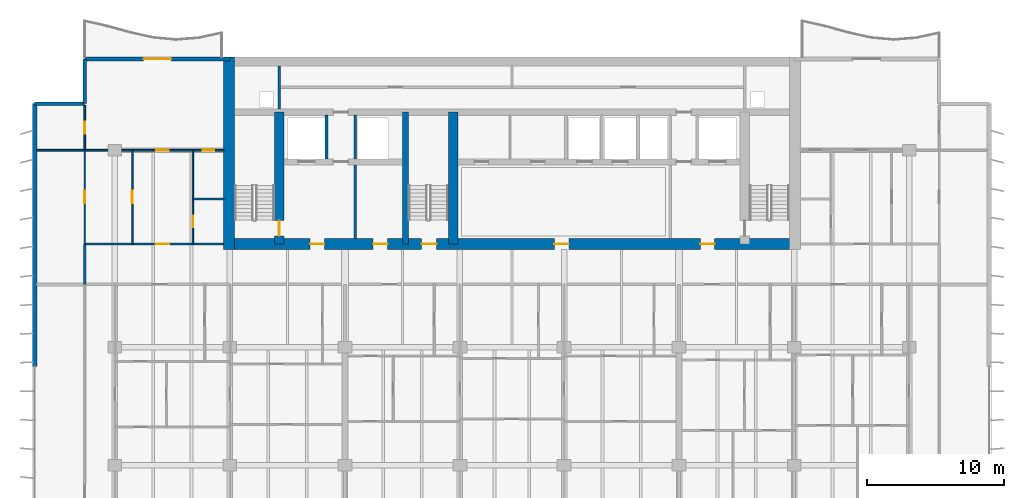
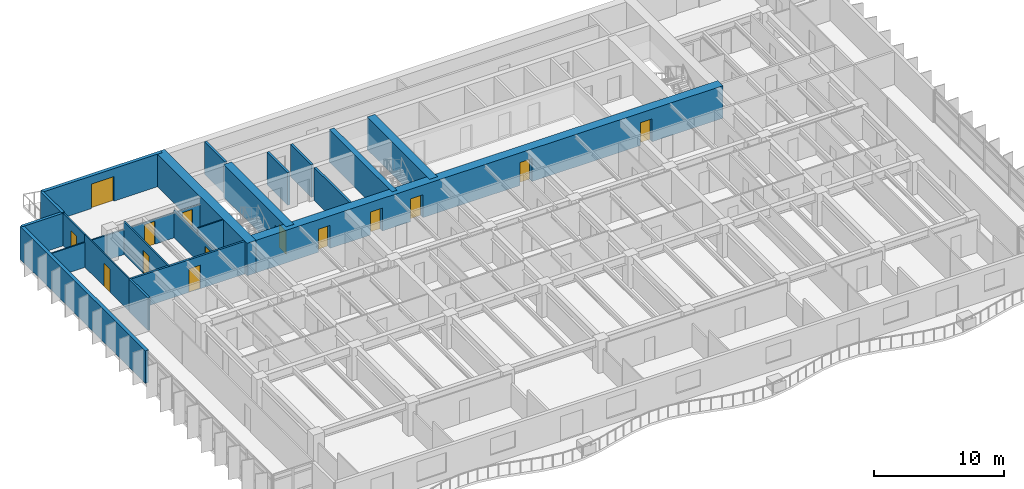
# One storey, part 9 of 15: 21 walls, 14 doors, 14 openings.
"""IFC4 building model written with IfcOpenShell, lengths in metres."""

from ifc_helpers import new_model, si_unit, direction, frame, frame_2d, origin, place, context, subcontext, project, spatial, rectangle, extrude, material, layer, layer_set, type_object, element, fill, save


model = new_model("IFC4")

# Units and contexts
model_context = context("Model", 3, precision=1e-05, world=origin(), true_north=direction((0.0, 1.0)))
body_context = subcontext(model_context, "Body", "Model", "MODEL_VIEW")
ifc_project = project(units=[si_unit("LENGTHUNIT", "METRE"), si_unit("AREAUNIT", "SQUARE_METRE"), si_unit("VOLUMEUNIT", "CUBIC_METRE"), si_unit("PLANEANGLEUNIT", "RADIAN"), si_unit("MASSUNIT", "GRAM", prefix="KILO")], contexts=[model_context])

# Site, building, storey
site_placement = place(None, origin())
site = spatial("IfcSite", under=ifc_project, at=site_placement, CompositionType="ELEMENT")
building_placement = place(site_placement, origin())
building = spatial("IfcBuilding", under=site, at=building_placement, Name="Caelmar Bay Residences", CompositionType="ELEMENT")
storey_placement = place(building_placement, frame((0.0, 0.0, 132.300048828125)))
storey = spatial("IfcBuildingStorey", under=building, at=storey_placement, Name="L36", CompositionType="ELEMENT", Elevation=132.300048828125)

# Wall, opening, door
ifc_material_1 = material(Name="Concrete f'c 55 MPa (8,000 psi)", Category="concrete")
ifc_layer_1 = layer(ifc_material_1, 0.699951171875)
ifc_layer_set_1 = layer_set([ifc_layer_1], Name="Concrete f'c 55 MPa (8,000 psi)")
wall_type_1 = type_object("IfcWallType", Name="SW-COR-700", PredefinedType="SHEAR", material=ifc_layer_set_1)
wall_1_placement = place(storey_placement, frame((21.89990234375, 36.949951171875, 0.0), z_axis=(0.0, 0.0, 1.0), x_axis=(0.0, 1.0, 0.0)))
wall_1 = element("IfcWall", 1, at=wall_1_placement, inside=storey, type_object=wall_type_1, Name="L36 Core Structural Web Wall ST1E", PredefinedType="SHEAR", context=body_context, shape_type="SweptSolid", body=[
    extrude(rectangle(XDim=9.625, YDim=0.699951171875, at=frame_2d((4.8125, 0.0))), origin(), (0.0, 0.0, 1.0), 3.050048828125),
])
opening_1_placement = place(wall_1_placement, frame((0.60009765625, 0.0, 0.0)))
opening_1 = element("IfcOpeningElement", 2, at=opening_1_placement, cuts=wall_1, Name="Opening D-L36-107", PredefinedType="OPENING", context=body_context, shape_type="SweptSolid", body=[
    extrude(rectangle(XDim=1.10009765625, YDim=2.14990234375, at=frame_2d((0.550048828125, 1.074951171875))), frame((0.0, 0.35986328125, 0.0), z_axis=(0.0, -1.0, 0.0), x_axis=(1.0, 0.0, 0.0)), (0.0, 0.0, 1.0), 0.719970703125),
])
ifc_material_2 = material(Name="Fire-rated steel and walnut architectural door assembly", Category="steel")
ifc_layer_2 = layer(ifc_material_2, 0.050048828125)
ifc_layer_set_2 = layer_set([ifc_layer_2], Name="Fire-rated steel and walnut architectural door assembly")
door_type_1 = type_object("IfcDoorType", Name="D-STAIR-1100", OperationType="NOTDEFINED", PredefinedType="DOOR", material=ifc_layer_set_2)
door_1_placement = place(opening_1_placement, origin())
door_1 = element("IfcDoor", 3, at=door_1_placement, inside=storey, type_object=door_type_1, Name="L36 Firefighting Lobby West Door", OperationType="SINGLE_SWING_RIGHT", OverallHeight=2.14990234375, OverallWidth=1.10009765625, PredefinedType="DOOR", context=body_context, shape_type="SweptSolid", body=[
    extrude(rectangle(XDim=1.10009765625, YDim=2.14990234375, at=frame_2d((0.550048828125, 1.074951171875))), frame((0.0, 0.02490234375, 0.0), z_axis=(0.0, -1.0, 0.0), x_axis=(1.0, 0.0, 0.0)), (0.0, 0.0, 1.0), 0.050048828125),
])
fill(opening_1, door_1)

# Wall
wall_2_placement = place(storey_placement, frame((34.60009765625, 36.949951171875, 0.0), z_axis=(0.0, 0.0, 1.0), x_axis=(0.0, 1.0, 0.0)))
element("IfcWall", 4, at=wall_2_placement, inside=storey, type_object=wall_type_1, Name="L36 Core Structural Web Wall ST3E", PredefinedType="SHEAR", context=body_context, shape_type="SweptSolid", body=[
    extrude(rectangle(XDim=9.625, YDim=0.699951171875, at=frame_2d((4.8125, 0.0))), origin(), (0.0, 0.0, 1.0), 3.050048828125),
])

# Wall, openings, doors
ifc_material_3 = material(Name="Concrete f'c 70 MPa (10,000 psi)", Category="concrete")
ifc_layer_3 = layer(ifc_material_3, 0.800048828125)
ifc_layer_set_3 = layer_set([ifc_layer_3], Name="Concrete f'c 70 MPa (10,000 psi)")
wall_type_2 = type_object("IfcWallType", Name="SW-COR-800", PredefinedType="SHEAR", material=ifc_layer_set_3)
wall_3_placement = place(storey_placement, frame((17.85009765625, 36.949951171875, 0.0), z_axis=(0.0, 0.0, 1.0), x_axis=(1.0, 0.0, 0.0)))
wall_3 = element("IfcWall", 5, at=wall_3_placement, inside=storey, type_object=wall_type_2, Name="L36 Rear Core South Shear Wall", PredefinedType="SHEAR", context=body_context, shape_type="SweptSolid", body=[
    extrude(rectangle(XDim=42.099853515625, YDim=0.800048828125, at=frame_2d((21.0498046875, 0.0))), origin(), (0.0, 0.0, 1.0), 3.050048828125),
])
opening_2_placement = place(wall_3_placement, frame((14.449951171875, 0.0, 0.0)))
opening_2 = element("IfcOpeningElement", 6, at=opening_2_placement, cuts=wall_3, Name="Opening D-L36-105", PredefinedType="OPENING", context=body_context, shape_type="SweptSolid", body=[
    extrude(rectangle(XDim=1.10009765625, YDim=2.14990234375, at=frame_2d((0.550048828125, 1.074951171875))), frame((0.0, 0.409912109375, 0.0), z_axis=(0.0, -1.0, 0.0), x_axis=(1.0, 0.0, 0.0)), (0.0, 0.0, 1.0), 0.820068359375),
])
opening_3_placement = place(wall_3_placement, frame((6.300048828125, 0.0, 0.0)))
opening_3 = element("IfcOpeningElement", 7, at=opening_3_placement, cuts=wall_3, Name="Opening D-L36-106", PredefinedType="OPENING", context=body_context, shape_type="SweptSolid", body=[
    extrude(rectangle(XDim=1.050048828125, YDim=2.14990234375, at=frame_2d((0.52490234375, 1.074951171875))), frame((0.0, 0.409912109375, 0.0), z_axis=(0.0, -1.0, 0.0), x_axis=(1.0, 0.0, 0.0)), (0.0, 0.0, 1.0), 0.820068359375),
])
opening_4_placement = place(wall_3_placement, frame((34.800048828125, 0.0, 0.0)))
opening_4 = element("IfcOpeningElement", 8, at=opening_4_placement, cuts=wall_3, Name="Opening D-L36-109", PredefinedType="OPENING", context=body_context, shape_type="SweptSolid", body=[
    extrude(rectangle(XDim=1.050048828125, YDim=2.14990234375, at=frame_2d((0.52490234375, 1.074951171875))), frame((0.0, 0.409912109375, 0.0), z_axis=(0.0, -1.0, 0.0), x_axis=(1.0, 0.0, 0.0)), (0.0, 0.0, 1.0), 0.820068359375),
])
opening_5_placement = place(wall_3_placement, frame((10.91259765625, 0.0, 0.0)))
opening_5 = element("IfcOpeningElement", 9, at=opening_5_placement, cuts=wall_3, Name="Opening D-L36-112", PredefinedType="OPENING", context=body_context, shape_type="SweptSolid", body=[
    extrude(rectangle(XDim=1.050048828125, YDim=2.14990234375, at=frame_2d((0.52490234375, 1.074951171875))), frame((0.0, 0.409912109375, 0.0), z_axis=(0.0, -1.0, 0.0), x_axis=(1.0, 0.0, 0.0)), (0.0, 0.0, 1.0), 0.820068359375),
])
opening_6_placement = place(wall_3_placement, frame((24.14990234375, 0.0, 0.0)))
opening_6 = element("IfcOpeningElement", 10, at=opening_6_placement, cuts=wall_3, Name="Opening D-L36-113", PredefinedType="OPENING", context=body_context, shape_type="SweptSolid", body=[
    extrude(rectangle(XDim=1.050048828125, YDim=2.14990234375, at=frame_2d((0.52490234375, 1.074951171875))), frame((0.0, 0.409912109375, 0.0), z_axis=(0.0, -1.0, 0.0), x_axis=(1.0, 0.0, 0.0)), (0.0, 0.0, 1.0), 0.820068359375),
])
ifc_layer_4 = layer(ifc_material_2, 0.050048828125)
ifc_layer_set_4 = layer_set([ifc_layer_4], Name="Fire-rated steel and walnut architectural door assembly")
door_type_2 = type_object("IfcDoorType", Name="D-FSAE-1050", OperationType="NOTDEFINED", PredefinedType="DOOR", material=ifc_layer_set_4)
door_2_placement = place(opening_3_placement, origin())
door_2 = element("IfcDoor", 11, at=door_2_placement, inside=storey, type_object=door_type_2, Name="L36 Firefighting Lobby West Door", OperationType="SINGLE_SWING_LEFT", OverallHeight=2.14990234375, OverallWidth=1.050048828125, PredefinedType="DOOR", context=body_context, shape_type="SweptSolid", body=[
    extrude(rectangle(XDim=1.050048828125, YDim=2.14990234375, at=frame_2d((0.52490234375, 1.074951171875))), frame((0.0, 0.02490234375, 0.0), z_axis=(0.0, -1.0, 0.0), x_axis=(1.0, 0.0, 0.0)), (0.0, 0.0, 1.0), 0.050048828125),
])
fill(opening_3, door_2)
door_3_placement = place(opening_4_placement, origin())
door_3 = element("IfcDoor", 12, at=door_3_placement, inside=storey, type_object=door_type_2, Name="L36 Firefighting Lobby East Door", OperationType="SINGLE_SWING_RIGHT", OverallHeight=2.14990234375, OverallWidth=1.050048828125, PredefinedType="DOOR", context=body_context, shape_type="SweptSolid", body=[
    extrude(rectangle(XDim=1.050048828125, YDim=2.14990234375, at=frame_2d((0.52490234375, 1.074951171875))), frame((0.0, 0.02490234375, 0.0), z_axis=(0.0, -1.0, 0.0), x_axis=(1.0, 0.0, 0.0)), (0.0, 0.0, 1.0), 0.050048828125),
])
fill(opening_4, door_3)
door_4_placement = place(opening_5_placement, origin())
door_4 = element("IfcDoor", 13, at=door_4_placement, inside=storey, type_object=door_type_2, Name="L36 West Lift Lobby Door", OperationType="SINGLE_SWING_LEFT", OverallHeight=2.14990234375, OverallWidth=1.050048828125, PredefinedType="DOOR", context=body_context, shape_type="SweptSolid", body=[
    extrude(rectangle(XDim=1.050048828125, YDim=2.14990234375, at=frame_2d((0.52490234375, 1.074951171875))), frame((0.0, 0.02490234375, 0.0), z_axis=(0.0, -1.0, 0.0), x_axis=(1.0, 0.0, 0.0)), (0.0, 0.0, 1.0), 0.050048828125),
])
fill(opening_5, door_4)
door_5_placement = place(opening_6_placement, origin())
door_5 = element("IfcDoor", 14, at=door_5_placement, inside=storey, type_object=door_type_2, Name="L36 Passenger Lift Lobby Door", OperationType="SINGLE_SWING_RIGHT", OverallHeight=2.14990234375, OverallWidth=1.050048828125, PredefinedType="DOOR", context=body_context, shape_type="SweptSolid", body=[
    extrude(rectangle(XDim=1.050048828125, YDim=2.14990234375, at=frame_2d((0.52490234375, 1.074951171875))), frame((0.0, 0.02490234375, 0.0), z_axis=(0.0, -1.0, 0.0), x_axis=(1.0, 0.0, 0.0)), (0.0, 0.0, 1.0), 0.050048828125),
])
fill(opening_6, door_5)
door_6_placement = place(opening_2_placement, origin())
door_6 = element("IfcDoor", 15, at=door_6_placement, inside=storey, type_object=door_type_1, Name="L36 Exit Stair ST3 Door", OperationType="SINGLE_SWING_RIGHT", OverallHeight=2.14990234375, OverallWidth=1.10009765625, PredefinedType="DOOR", context=body_context, shape_type="SweptSolid", body=[
    extrude(rectangle(XDim=1.10009765625, YDim=2.14990234375, at=frame_2d((0.550048828125, 1.074951171875))), frame((0.0, 0.02490234375, 0.0), z_axis=(0.0, -1.0, 0.0), x_axis=(1.0, 0.0, 0.0)), (0.0, 0.0, 1.0), 0.050048828125),
])
fill(opening_2, door_6)

# Walls
wall_4_placement = place(storey_placement, frame((18.25, 36.550048828125, 0.0), z_axis=(0.0, 0.0, 1.0), x_axis=(0.0, 1.0, 0.0)))
element("IfcWall", 16, at=wall_4_placement, inside=storey, type_object=wall_type_2, Name="L36 Rear Core West Shear Wall", PredefinedType="SHEAR", context=body_context, shape_type="SweptSolid", body=[
    extrude(rectangle(XDim=14.050048828125, YDim=0.800048828125, at=frame_2d((7.02490234375, 0.0))), origin(), (0.0, 0.0, 1.0), 3.050048828125),
])
ifc_layer_5 = layer(ifc_material_3, 0.449951171875)
ifc_layer_set_5 = layer_set([ifc_layer_5], Name="Concrete f'c 70 MPa (10,000 psi)")
wall_type_3 = type_object("IfcWallType", Name="SW-WEB-450", PredefinedType="SHEAR", material=ifc_layer_set_5)
wall_5_placement = place(storey_placement, frame((31.125, 36.949951171875, 0.0), z_axis=(0.0, 0.0, 1.0), x_axis=(0.0, 1.0, 0.0)))
element("IfcWall", 17, at=wall_5_placement, inside=storey, type_object=wall_type_3, Name="L36 Core Structural Web Wall ST3W", PredefinedType="SHEAR", context=body_context, shape_type="SweptSolid", body=[
    extrude(rectangle(XDim=9.625, YDim=0.449951171875, at=frame_2d((4.8125, 0.0))), origin(), (0.0, 0.0, 1.0), 3.050048828125),
])
ifc_material_4 = material(Name="Double-stud acoustic fire-rated gypsum partition 180 mm")
ifc_layer_6 = layer(ifc_material_4, 0.179931640625)
ifc_layer_set_6 = layer_set([ifc_layer_6], Name="Double-stud acoustic fire-rated gypsum partition 180 mm")
wall_type_4 = type_object("IfcWallType", Name="W-COR-200", PredefinedType="PARTITIONING", material=ifc_layer_set_6)
wall_6_placement = place(storey_placement, frame((7.699951171875, 34.0048828125, 0.0), z_axis=(0.0, 0.0, 1.0), x_axis=(0.0, 1.0, 0.0)))
element("IfcWall", 18, at=wall_6_placement, inside=storey, type_object=wall_type_4, Name="L36 Partition Wall V003", PredefinedType="PARTITIONING", context=body_context, shape_type="SweptSolid", body=[
    extrude(rectangle(XDim=2.945068359375, YDim=0.179931640625, at=frame_2d((1.47265625, 0.0))), origin(), (0.0, 0.0, 1.0), 3.050048828125),
])

# Wall, opening, door
wall_7_placement = place(storey_placement, frame((7.699951171875, 36.949951171875, 0.0), z_axis=(0.0, 0.0, 1.0), x_axis=(1.0, 0.0, 0.0)))
wall_7 = element("IfcWall", 19, at=wall_7_placement, inside=storey, type_object=wall_type_4, Name="L36 Partition Wall H098", PredefinedType="PARTITIONING", context=body_context, shape_type="SweptSolid", body=[
    extrude(rectangle(XDim=10.14501953125, YDim=0.179931640625, at=frame_2d((5.072509765625, 0.0))), origin(), (0.0, 0.0, 1.0), 3.050048828125),
])
opening_7_placement = place(wall_7_placement, frame((5.18798828125, 0.0, 0.0)))
opening_7 = element("IfcOpeningElement", 20, at=opening_7_placement, cuts=wall_7, Name="Opening D-L36-164", PredefinedType="OPENING", context=body_context, shape_type="SweptSolid", body=[
    extrude(rectangle(XDim=1.0, YDim=2.199951171875, at=frame_2d((0.5, 1.10009765625))), frame((0.0, 0.099853515625, 0.0), z_axis=(0.0, -1.0, 0.0), x_axis=(1.0, 0.0, 0.0)), (0.0, 0.0, 1.0), 0.199951171875),
])
ifc_layer_7 = layer(ifc_material_2, 0.050048828125)
ifc_layer_set_7 = layer_set([ifc_layer_7], Name="Fire-rated steel and walnut architectural door assembly")
door_type_3 = type_object("IfcDoorType", Name="D-UNIT-1000", OperationType="NOTDEFINED", PredefinedType="DOOR", material=ifc_layer_set_7)
door_7_placement = place(opening_7_placement, origin())
door_7 = element("IfcDoor", 21, at=door_7_placement, inside=storey, type_object=door_type_3, Name="L36 Residence WA Kitchen Door", OperationType="SINGLE_SWING_LEFT", OverallHeight=2.199951171875, OverallWidth=1.0, PredefinedType="DOOR", context=body_context, shape_type="SweptSolid", body=[
    extrude(rectangle(XDim=1.0, YDim=2.199951171875, at=frame_2d((0.5, 1.10009765625))), frame((0.0, 0.02490234375, 0.0), z_axis=(0.0, -1.0, 0.0), x_axis=(1.0, 0.0, 0.0)), (0.0, 0.0, 1.0), 0.050048828125),
])
fill(opening_7, door_7)

# Walls
ifc_material_5 = material(Name="Precast concrete f'c 40 MPa (6,000 psi)", Category="concrete")
ifc_layer_8 = layer(ifc_material_5, 0.25)
ifc_layer_set_8 = layer_set([ifc_layer_8], Name="Precast concrete f'c 40 MPa (6,000 psi)")
wall_type_5 = type_object("IfcWallType", Name="W-EXT-250", PredefinedType="ELEMENTEDWALL", material=ifc_layer_set_8)
wall_8_placement = place(storey_placement, frame((4.050048828125, 47.199951171875, 0.0), z_axis=(0.0, 0.0, 1.0), x_axis=(1.0, 0.0, 0.0)))
element("IfcWall", 22, at=wall_8_placement, inside=storey, type_object=wall_type_5, Name="L36 NNW-H Notch Wall", PredefinedType="ELEMENTEDWALL", context=body_context, shape_type="SweptSolid", body=[
    extrude(rectangle(XDim=3.64990234375, YDim=0.25, at=frame_2d((1.824951171875, 0.0))), origin(), (0.0, 0.0, 1.0), 3.050048828125),
])
wall_9_placement = place(storey_placement, frame((7.699951171875, 47.199951171875, 0.0), z_axis=(0.0, 0.0, 1.0), x_axis=(0.0, 1.0, 0.0)))
element("IfcWall", 23, at=wall_9_placement, inside=storey, type_object=wall_type_5, Name="L36 NNW-V Notch Wall", PredefinedType="ELEMENTEDWALL", context=body_context, shape_type="SweptSolid", body=[
    extrude(rectangle(XDim=3.25, YDim=0.25, at=frame_2d((1.625, 0.0))), origin(), (0.0, 0.0, 1.0), 3.050048828125),
])
ifc_layer_9 = layer(ifc_material_5, 0.300048828125)
ifc_layer_set_9 = layer_set([ifc_layer_9], Name="Precast concrete f'c 40 MPa (6,000 psi)")
wall_type_6 = type_object("IfcWallType", Name="W-EXT-300", PredefinedType="STANDARD", material=ifc_layer_set_9)
wall_10_placement = place(storey_placement, frame((4.050048828125, 28.0, 0.0), z_axis=(0.0, 0.0, 1.0), x_axis=(0.0, 1.0, 0.0)))
element("IfcWall", 24, at=wall_10_placement, inside=storey, type_object=wall_type_6, Name="L36 West Rear Exterior Wall", PredefinedType="STANDARD", context=body_context, shape_type="SweptSolid", body=[
    extrude(rectangle(XDim=19.199951171875, YDim=0.300048828125, at=frame_2d((9.60009765625, 0.0))), origin(), (0.0, 0.0, 1.0), 3.050048828125),
])

# Wall, opening, door
wall_11_placement = place(storey_placement, frame((7.699951171875, 50.449951171875, 0.0), z_axis=(0.0, 0.0, 1.0), x_axis=(1.0, 0.0, 0.0)))
wall_11 = element("IfcWall", 25, at=wall_11_placement, inside=storey, type_object=wall_type_6, Name="L36 North-West Wing Exterior Wall", PredefinedType="STANDARD", context=body_context, shape_type="SweptSolid", body=[
    extrude(rectangle(XDim=10.60009765625, YDim=0.300048828125, at=frame_2d((5.300048828125, 0.0))), origin(), (0.0, 0.0, 1.0), 3.050048828125),
])
opening_8_placement = place(wall_11_placement, frame((4.300048828125, 0.0, 0.0)))
opening_8 = element("IfcOpeningElement", 26, at=opening_8_placement, cuts=wall_11, Name="Opening L36-BDNW", PredefinedType="OPENING", context=body_context, shape_type="SweptSolid", body=[
    extrude(rectangle(XDim=2.0, YDim=2.300048828125, at=frame_2d((1.0, 1.14990234375))), frame((0.0, 0.159912109375, 0.0), z_axis=(0.0, -1.0, 0.0), x_axis=(1.0, 0.0, 0.0)), (0.0, 0.0, 1.0), 0.320068359375),
])
ifc_material_6 = material(Name="Anodised bronze thermally broken sliding glass door", Category="glass")
ifc_layer_10 = layer(ifc_material_6, 0.050048828125)
ifc_layer_set_10 = layer_set([ifc_layer_10], Name="Anodised bronze thermally broken sliding glass door")
door_type_4 = type_object("IfcDoorType", Name="D-BAL-2000", OperationType="DOUBLE_DOOR_SLIDING", PredefinedType="DOOR", material=ifc_layer_set_10)
door_8_placement = place(opening_8_placement, origin())
door_8 = element("IfcDoor", 27, at=door_8_placement, inside=storey, type_object=door_type_4, Name="L36 North-West Balcony Door", OperationType="DOUBLE_DOOR_SLIDING", OverallHeight=2.300048828125, OverallWidth=2.0, PredefinedType="DOOR", context=body_context, shape_type="SweptSolid", body=[
    extrude(rectangle(XDim=2.0, YDim=2.300048828125, at=frame_2d((1.0, 1.14990234375))), frame((0.0, 0.02490234375, 0.0), z_axis=(0.0, -1.0, 0.0), x_axis=(1.0, 0.0, 0.0)), (0.0, 0.0, 1.0), 0.050048828125),
])
fill(opening_8, door_8)

# Walls
ifc_material_7 = material(Name="Fire-rated masonry and gypsum shaftliner assembly 200 mm", Category="masonry")
ifc_layer_11 = layer(ifc_material_7, 0.199951171875)
ifc_layer_set_11 = layer_set([ifc_layer_11], Name="Fire-rated masonry and gypsum shaftliner assembly 200 mm")
wall_type_7 = type_object("IfcWallType", Name="W-FSAE-200", PredefinedType="PARTITIONING", material=ifc_layer_set_11)
wall_12_placement = place(storey_placement, frame((21.89990234375, 46.794921875, 0.0), z_axis=(0.0, 0.0, 1.0), x_axis=(0.0, 1.0, 0.0)))
element("IfcWall", 28, at=wall_12_placement, inside=storey, type_object=wall_type_7, Name="L36 Partition Wall V017", PredefinedType="PARTITIONING", context=body_context, shape_type="SweptSolid", body=[
    extrude(rectangle(XDim=3.16015625, YDim=0.199951171875, at=frame_2d((1.580078125, 0.0))), origin(), (0.0, 0.0, 1.0), 3.050048828125),
])
wall_13_placement = place(storey_placement, frame((25.35009765625, 43.169921875, 0.0), z_axis=(0.0, 0.0, 1.0), x_axis=(0.0, 1.0, 0.0)))
element("IfcWall", 29, at=wall_13_placement, inside=storey, type_object=wall_type_7, Name="L36 Partition Wall V020", PredefinedType="PARTITIONING", context=body_context, shape_type="SweptSolid", body=[
    extrude(rectangle(XDim=3.18505859375, YDim=0.199951171875, at=frame_2d((1.592529296875, 0.0))), origin(), (0.0, 0.0, 1.0), 3.050048828125),
])
wall_14_placement = place(storey_placement, frame((27.449951171875, 37.344970703125, 0.0), z_axis=(0.0, 0.0, 1.0), x_axis=(0.0, 1.0, 0.0)))
element("IfcWall", 30, at=wall_14_placement, inside=storey, type_object=wall_type_7, Name="L36 Partition Wall V024", PredefinedType="PARTITIONING", context=body_context, shape_type="SweptSolid", body=[
    extrude(rectangle(XDim=5.385009765625, YDim=0.199951171875, at=frame_2d((2.6923828125, 0.0))), origin(), (0.0, 0.0, 1.0), 3.050048828125),
])
wall_15_placement = place(storey_placement, frame((27.449951171875, 43.169921875, 0.0), z_axis=(0.0, 0.0, 1.0), x_axis=(0.0, 1.0, 0.0)))
element("IfcWall", 31, at=wall_15_placement, inside=storey, type_object=wall_type_7, Name="L36 Partition Wall V025", PredefinedType="PARTITIONING", context=body_context, shape_type="SweptSolid", body=[
    extrude(rectangle(XDim=3.18505859375, YDim=0.199951171875, at=frame_2d((1.592529296875, 0.0))), origin(), (0.0, 0.0, 1.0), 3.050048828125),
])

# Wall, opening, door
ifc_material_8 = material(Name="Anodised bronze framed acoustic sliding study partition 100 mm")
ifc_layer_12 = layer(ifc_material_8, 0.10009765625)
ifc_layer_set_12 = layer_set([ifc_layer_12], Name="Anodised bronze framed acoustic sliding study partition 100 mm")
wall_type_8 = type_object("IfcWallType", Name="W-MOV-100", PredefinedType="MOVABLE", material=ifc_layer_set_12)
wall_16_placement = place(storey_placement, frame((7.699951171875, 36.955078125, 0.0), z_axis=(0.0, 0.0, 1.0), x_axis=(0.0, 1.0, 0.0)))
wall_16 = element("IfcWall", 32, at=wall_16_placement, inside=storey, type_object=wall_type_8, Name="L36 Partition Wall V004", PredefinedType="MOVABLE", context=body_context, shape_type="SweptSolid", body=[
    extrude(rectangle(XDim=6.844970703125, YDim=0.10009765625, at=frame_2d((3.42236328125, 0.0))), origin(), (0.0, 0.0, 1.0), 3.050048828125),
])
opening_9_placement = place(wall_16_placement, frame((2.972412109375, 0.0, 0.0)))
opening_9 = element("IfcOpeningElement", 33, at=opening_9_placement, cuts=wall_16, Name="Opening D-L36-168", PredefinedType="OPENING", context=body_context, shape_type="SweptSolid", body=[
    extrude(rectangle(XDim=0.89990234375, YDim=2.14990234375, at=frame_2d((0.449951171875, 1.074951171875))), frame((0.0, 0.06005859375, 0.0), z_axis=(0.0, -1.0, 0.0), x_axis=(1.0, 0.0, 0.0)), (0.0, 0.0, 1.0), 0.1201171875),
])
ifc_material_9 = material(Name="Solid walnut timber interior door leaf and frame", Category="wood")
ifc_layer_13 = layer(ifc_material_9, 0.050048828125)
ifc_layer_set_13 = layer_set([ifc_layer_13], Name="Solid walnut timber interior door leaf and frame")
door_type_5 = type_object("IfcDoorType", Name="D-ROOM-900", OperationType="NOTDEFINED", PredefinedType="DOOR", material=ifc_layer_set_13)
door_9_placement = place(opening_9_placement, origin())
door_9 = element("IfcDoor", 34, at=door_9_placement, inside=storey, type_object=door_type_5, Name="L36 Residence WA Sun Study Door", OperationType="SINGLE_SWING_LEFT", OverallHeight=2.14990234375, OverallWidth=0.89990234375, PredefinedType="DOOR", context=body_context, shape_type="SweptSolid", body=[
    extrude(rectangle(XDim=0.89990234375, YDim=2.14990234375, at=frame_2d((0.449951171875, 1.074951171875))), frame((0.0, 0.02490234375, 0.0), z_axis=(0.0, -1.0, 0.0), x_axis=(1.0, 0.0, 0.0)), (0.0, 0.0, 1.0), 0.050048828125),
])
fill(opening_9, door_9)

ifc_material_10 = material(Name="Acoustic metal-stud gypsum partition 120 mm")
ifc_layer_14 = layer(ifc_material_10, 0.1201171875)
ifc_layer_set_14 = layer_set([ifc_layer_14], Name="Acoustic metal-stud gypsum partition 120 mm")
wall_type_9 = type_object("IfcWallType", Name="W-PRT-120", PredefinedType="PARTITIONING", material=ifc_layer_set_14)
wall_17_placement = place(storey_placement, frame((7.699951171875, 43.804931640625, 0.0), z_axis=(0.0, 0.0, 1.0), x_axis=(0.0, 1.0, 0.0)))
wall_17 = element("IfcWall", 35, at=wall_17_placement, inside=storey, type_object=wall_type_9, Name="L36 Partition Wall V005", PredefinedType="PARTITIONING", context=body_context, shape_type="SweptSolid", body=[
    extrude(rectangle(XDim=3.275146484375, YDim=0.1201171875, at=frame_2d((1.6376953125, 0.0))), origin(), (0.0, 0.0, 1.0), 3.050048828125),
])
opening_10_placement = place(wall_17_placement, frame((1.1875, 0.0, 0.0)))
opening_10 = element("IfcOpeningElement", 36, at=opening_10_placement, cuts=wall_17, Name="Opening D-L36-169", PredefinedType="OPENING", context=body_context, shape_type="SweptSolid", body=[
    extrude(rectangle(XDim=0.89990234375, YDim=2.14990234375, at=frame_2d((0.449951171875, 1.074951171875))), frame((0.0, 0.070068359375, 0.0), z_axis=(0.0, -1.0, 0.0), x_axis=(1.0, 0.0, 0.0)), (0.0, 0.0, 1.0), 0.14013671875),
])
door_10_placement = place(opening_10_placement, origin())
door_10 = element("IfcDoor", 37, at=door_10_placement, inside=storey, type_object=door_type_5, Name="L36 Residence WA North Sitting Alcove Door", OperationType="SINGLE_SWING_RIGHT", OverallHeight=2.14990234375, OverallWidth=0.89990234375, PredefinedType="DOOR", context=body_context, shape_type="SweptSolid", body=[
    extrude(rectangle(XDim=0.89990234375, YDim=2.14990234375, at=frame_2d((0.449951171875, 1.074951171875))), frame((0.0, 0.02490234375, 0.0), z_axis=(0.0, -1.0, 0.0), x_axis=(1.0, 0.0, 0.0)), (0.0, 0.0, 1.0), 0.050048828125),
])
fill(opening_10, door_10)

wall_18_placement = place(storey_placement, frame((11.176025390625, 36.949951171875, 0.0), z_axis=(0.0, 0.0, 1.0), x_axis=(0.0, 1.0, 0.0)))
wall_18 = element("IfcWall", 38, at=wall_18_placement, inside=storey, type_object=wall_type_9, Name="L36 Partition Wall V009", PredefinedType="PARTITIONING", context=body_context, shape_type="SweptSolid", body=[
    extrude(rectangle(XDim=6.85009765625, YDim=0.1201171875, at=frame_2d((3.425048828125, 0.0))), origin(), (0.0, 0.0, 1.0), 3.050048828125),
])
opening_11_placement = place(wall_18_placement, frame((2.97509765625, 0.0, 0.0)))
opening_11 = element("IfcOpeningElement", 39, at=opening_11_placement, cuts=wall_18, Name="Opening D-L36-163", PredefinedType="OPENING", context=body_context, shape_type="SweptSolid", body=[
    extrude(rectangle(XDim=0.89990234375, YDim=2.14990234375, at=frame_2d((0.449951171875, 1.074951171875))), frame((0.0, 0.070068359375, 0.0), z_axis=(0.0, -1.0, 0.0), x_axis=(1.0, 0.0, 0.0)), (0.0, 0.0, 1.0), 0.14013671875),
])
door_11_placement = place(opening_11_placement, origin())
door_11 = element("IfcDoor", 40, at=door_11_placement, inside=storey, type_object=door_type_5, Name="L36 Residence WA Dining Room Door", OperationType="SINGLE_SWING_RIGHT", OverallHeight=2.14990234375, OverallWidth=0.89990234375, PredefinedType="DOOR", context=body_context, shape_type="SweptSolid", body=[
    extrude(rectangle(XDim=0.89990234375, YDim=2.14990234375, at=frame_2d((0.449951171875, 1.074951171875))), frame((0.0, 0.02490234375, 0.0), z_axis=(0.0, -1.0, 0.0), x_axis=(1.0, 0.0, 0.0)), (0.0, 0.0, 1.0), 0.050048828125),
])
fill(opening_11, door_11)

wall_19_placement = place(storey_placement, frame((15.60009765625, 36.949951171875, 0.0), z_axis=(0.0, 0.0, 1.0), x_axis=(0.0, 1.0, 0.0)))
wall_19 = element("IfcWall", 41, at=wall_19_placement, inside=storey, type_object=wall_type_9, Name="L36 Partition Wall V011", PredefinedType="PARTITIONING", context=body_context, shape_type="SweptSolid", body=[
    extrude(rectangle(XDim=6.85009765625, YDim=0.1201171875, at=frame_2d((3.425048828125, 0.0))), origin(), (0.0, 0.0, 1.0), 2.577880859375),
])
opening_12_placement = place(wall_19_placement, frame((1.218994140625, 0.0, 0.0)))
opening_12 = element("IfcOpeningElement", 42, at=opening_12_placement, cuts=wall_19, Name="Opening D-L36-166", PredefinedType="OPENING", context=body_context, shape_type="SweptSolid", body=[
    extrude(rectangle(XDim=0.85009765625, YDim=2.10009765625, at=frame_2d((0.425048828125, 1.050048828125))), frame((0.0, 0.070068359375, 0.0), z_axis=(0.0, -1.0, 0.0), x_axis=(1.0, 0.0, 0.0)), (0.0, 0.0, 1.0), 0.14013671875),
])
ifc_layer_15 = layer(ifc_material_9, 0.050048828125)
ifc_layer_set_15 = layer_set([ifc_layer_15], Name="Solid walnut timber interior door leaf and frame")
door_type_6 = type_object("IfcDoorType", Name="D-BATH-850", OperationType="NOTDEFINED", PredefinedType="DOOR", material=ifc_layer_set_15)
door_12_placement = place(opening_12_placement, origin())
door_12 = element("IfcDoor", 43, at=door_12_placement, inside=storey, type_object=door_type_6, Name="L36 Residence WA Walk-In Closet Door", OperationType="SINGLE_SWING_LEFT", OverallHeight=2.10009765625, OverallWidth=0.85009765625, PredefinedType="DOOR", context=body_context, shape_type="SweptSolid", body=[
    extrude(rectangle(XDim=0.85009765625, YDim=2.10009765625, at=frame_2d((0.425048828125, 1.050048828125))), frame((0.0, 0.02490234375, 0.0), z_axis=(0.0, -1.0, 0.0), x_axis=(1.0, 0.0, 0.0)), (0.0, 0.0, 1.0), 0.050048828125),
])
fill(opening_12, door_12)

# Wall
wall_20_placement = place(storey_placement, frame((15.60009765625, 40.238037109375, 0.0), z_axis=(0.0, 0.0, 1.0), x_axis=(1.0, 0.0, 0.0)))
element("IfcWall", 44, at=wall_20_placement, inside=storey, type_object=wall_type_9, Name="L36 Partition Wall H100", PredefinedType="PARTITIONING", context=body_context, shape_type="SweptSolid", body=[
    extrude(rectangle(XDim=2.2548828125, YDim=0.1201171875, at=frame_2d((1.12744140625, 0.0))), origin(), (0.0, 0.0, 1.0), 3.050048828125),
])

# Wall, openings, doors
wall_21_placement = place(storey_placement, frame((4.195068359375, 43.800048828125, 0.0), z_axis=(0.0, 0.0, 1.0), x_axis=(1.0, 0.0, 0.0)))
wall_21 = element("IfcWall", 45, at=wall_21_placement, inside=storey, type_object=wall_type_9, Name="L36 Partition Wall H102", PredefinedType="PARTITIONING", context=body_context, shape_type="SweptSolid", body=[
    extrude(rectangle(XDim=13.659912109375, YDim=0.1201171875, at=frame_2d((6.830078125, 0.0))), origin(), (0.0, 0.0, 1.0), 2.3388671875),
])
opening_13_placement = place(wall_21_placement, frame((8.742919921875, 0.0, 0.0)))
opening_13 = element("IfcOpeningElement", 46, at=opening_13_placement, cuts=wall_21, Name="Opening D-L36-165", PredefinedType="OPENING", context=body_context, shape_type="SweptSolid", body=[
    extrude(rectangle(XDim=0.89990234375, YDim=2.14990234375, at=frame_2d((0.449951171875, 1.074951171875))), frame((0.0, 0.070068359375, 0.0), z_axis=(0.0, -1.0, 0.0), x_axis=(1.0, 0.0, 0.0)), (0.0, 0.0, 1.0), 0.14013671875),
])
opening_14_placement = place(wall_21_placement, frame((12.107421875, 0.0, 0.0)))
opening_14 = element("IfcOpeningElement", 47, at=opening_14_placement, cuts=wall_21, Name="Opening D-L36-167", PredefinedType="OPENING", context=body_context, shape_type="SweptSolid", body=[
    extrude(rectangle(XDim=0.85009765625, YDim=2.10009765625, at=frame_2d((0.425048828125, 1.050048828125))), frame((0.0, 0.070068359375, 0.0), z_axis=(0.0, -1.0, 0.0), x_axis=(1.0, 0.0, 0.0)), (0.0, 0.0, 1.0), 0.14013671875),
])
door_13_placement = place(opening_14_placement, origin())
door_13 = element("IfcDoor", 48, at=door_13_placement, inside=storey, type_object=door_type_6, Name="L36 Residence WA Bathroom Door", OperationType="SINGLE_SWING_RIGHT", OverallHeight=2.10009765625, OverallWidth=0.85009765625, PredefinedType="DOOR", context=body_context, shape_type="SweptSolid", body=[
    extrude(rectangle(XDim=0.85009765625, YDim=2.10009765625, at=frame_2d((0.425048828125, 1.050048828125))), frame((0.0, 0.02490234375, 0.0), z_axis=(0.0, -1.0, 0.0), x_axis=(1.0, 0.0, 0.0)), (0.0, 0.0, 1.0), 0.050048828125),
])
fill(opening_14, door_13)
door_14_placement = place(opening_13_placement, origin())
door_14 = element("IfcDoor", 49, at=door_14_placement, inside=storey, type_object=door_type_5, Name="L36 Residence WA Studio Living and Sleeping Room Door", OperationType="SINGLE_SWING_RIGHT", OverallHeight=2.14990234375, OverallWidth=0.89990234375, PredefinedType="DOOR", context=body_context, shape_type="SweptSolid", body=[
    extrude(rectangle(XDim=0.89990234375, YDim=2.14990234375, at=frame_2d((0.449951171875, 1.074951171875))), frame((0.0, 0.02490234375, 0.0), z_axis=(0.0, -1.0, 0.0), x_axis=(1.0, 0.0, 0.0)), (0.0, 0.0, 1.0), 0.050048828125),
])
fill(opening_13, door_14)

save(model, "model.ifc")
